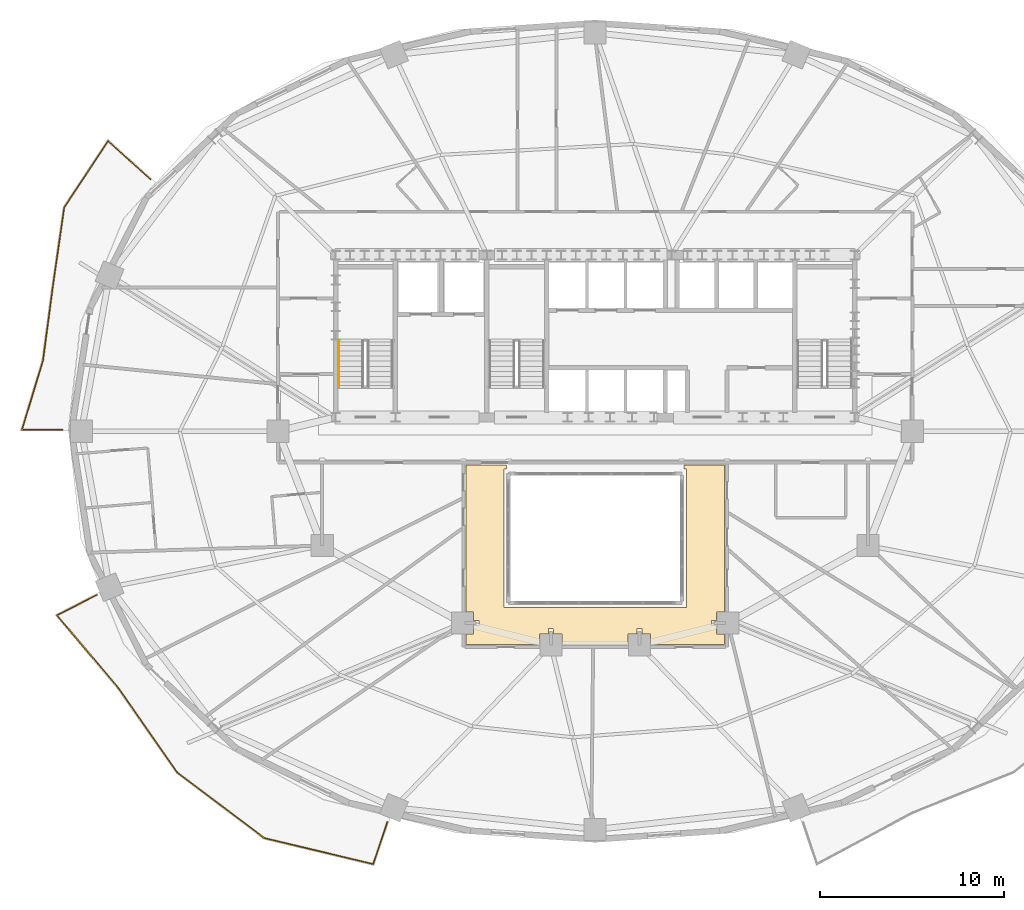
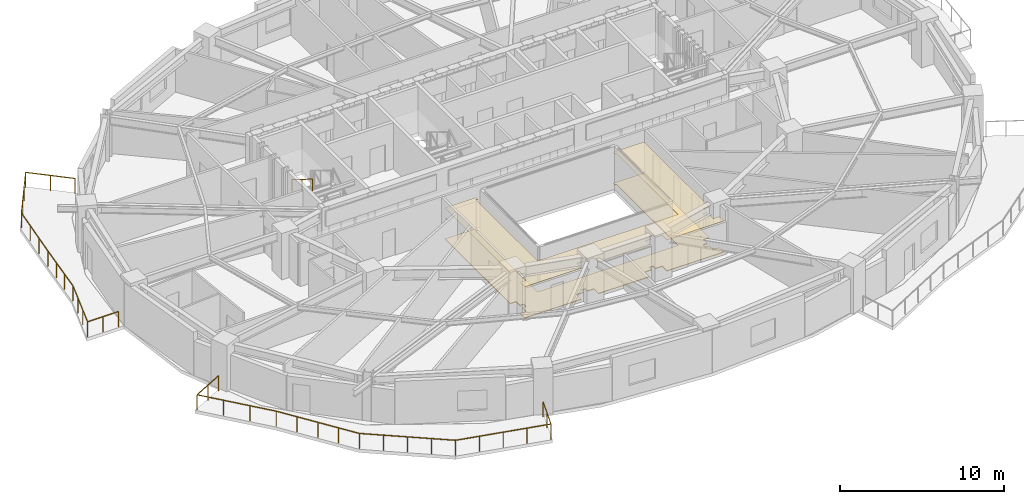
# One storey, part 12 of 14: 3 railings, 2 coverings.
"""IFC4 building model written with IfcOpenShell, lengths in metres."""

from ifc_helpers import new_model, si_unit, direction, frame, origin, origin_2d, place, context, subcontext, project, spatial, polyline, rectangle, outline, extrude, material, layer, layer_set, type_object, element, save


model = new_model("IFC4")

# Units and contexts
model_context = context("Model", 3, precision=1e-05, world=origin(), true_north=direction((0.0, 1.0)))
body_context = subcontext(model_context, "Body", "Model", "MODEL_VIEW")
ifc_project = project(units=[si_unit("LENGTHUNIT", "METRE"), si_unit("AREAUNIT", "SQUARE_METRE"), si_unit("VOLUMEUNIT", "CUBIC_METRE"), si_unit("PLANEANGLEUNIT", "RADIAN"), si_unit("MASSUNIT", "GRAM", prefix="KILO")], contexts=[model_context])

# Site, building, storey
site_placement = place(None, origin())
site = spatial("IfcSite", under=ifc_project, at=site_placement, CompositionType="ELEMENT")
building_placement = place(site_placement, origin())
building = spatial("IfcBuilding", under=site, at=building_placement, Name="Haldorwick Loom Tower", CompositionType="ELEMENT")
storey_placement = place(building_placement, frame((0.0, 0.0, 95.60009765625)))
storey = spatial("IfcBuildingStorey", under=building, at=storey_placement, Name="L25", CompositionType="ELEMENT", Elevation=95.60009765625)

# Coverings
ifc_material_1 = material(Name="Mineral Fibre Acoustic Ceiling Tile")
ifc_layer_1 = layer(ifc_material_1, 0.054931640625, Name="Mineral Fibre Acoustic Ceiling Tile")
ifc_layer_set_1 = layer_set([ifc_layer_1], Name="Mineral Fibre Acoustic Ceiling Tile")
covering_type_1 = type_object("IfcCoveringType", Name="ARC-COV-CEIL2", PredefinedType="CEILING", material=ifc_layer_set_1)
covering_1_placement = place(storey_placement, frame((0.0, 0.0, 2.302001953125)))
element("IfcCovering", 1, at=covering_1_placement, inside=storey, type_object=covering_type_1, Name="L25 Acoustic Suspended Ceiling 1", PredefinedType="CEILING", context=body_context, shape_type="SweptSolid", body=[
    extrude(outline(polyline([(40.820068359375, 24.159912109375), (40.820068359375, 23.949951171875), (40.949951171875, 23.949951171875), (40.949951171875, 16.449951171875), (31.050048828125, 16.449951171875), (31.050048828125, 23.949951171875), (31.179931640625, 23.949951171875), (31.179931640625, 24.159912109375), (28.989990234375, 24.159912109375), (28.989990234375, 16.2080078125), (29.407958984375, 16.2080078125), (29.407958984375, 15.739990234375), (29.669921875, 15.739990234375), (29.672119140625, 15.739990234375), (29.673828125, 15.739501953125), (29.67578125, 15.739013671875), (29.677734375, 15.738525390625), (29.679443359375, 15.737548828125), (29.68115234375, 15.736572265625), (29.6826171875, 15.735595703125), (29.68408203125, 15.734130859375), (29.685546875, 15.732666015625), (29.6865234375, 15.731201171875), (29.6875, 15.7294921875), (29.6884765625, 15.727783203125), (29.689208984375, 15.725830078125), (29.689697265625, 15.723876953125), (29.68994140625, 15.721923828125), (29.68994140625, 15.719970703125), (29.68994140625, 15.47998046875), (29.68994140625, 15.47802734375), (29.689697265625, 15.47607421875), (29.689208984375, 15.47412109375), (29.6884765625, 15.472412109375), (29.6875, 15.470703125), (29.6865234375, 15.468994140625), (29.685546875, 15.46728515625), (29.68408203125, 15.4658203125), (29.6826171875, 15.464599609375), (29.68115234375, 15.46337890625), (29.679443359375, 15.46240234375), (29.677734375, 15.46142578125), (29.67578125, 15.4609375), (29.673828125, 15.46044921875), (29.672119140625, 15.460205078125), (29.669921875, 15.4599609375), (29.407958984375, 15.4599609375), (29.407958984375, 14.991943359375), (28.989990234375, 14.991943359375), (28.989990234375, 14.43994140625), (32.991943359375, 14.43994140625), (32.991943359375, 15.008056640625), (33.4599609375, 15.008056640625), (33.4599609375, 15.27001953125), (33.460205078125, 15.27197265625), (33.46044921875, 15.27392578125), (33.4609375, 15.27587890625), (33.46142578125, 15.277587890625), (33.46240234375, 15.279296875), (33.46337890625, 15.281005859375), (33.464599609375, 15.28271484375), (33.4658203125, 15.2841796875), (33.46728515625, 15.285400390625), (33.468994140625, 15.28662109375), (33.470703125, 15.28759765625), (33.472412109375, 15.28857421875), (33.47412109375, 15.2890625), (33.47607421875, 15.28955078125), (33.47802734375, 15.289794921875), (33.47998046875, 15.2900390625), (33.719970703125, 15.2900390625), (33.721923828125, 15.289794921875), (33.723876953125, 15.28955078125), (33.725830078125, 15.2890625), (33.727783203125, 15.28857421875), (33.7294921875, 15.28759765625), (33.731201171875, 15.28662109375), (33.732666015625, 15.285400390625), (33.734130859375, 15.2841796875), (33.735595703125, 15.28271484375), (33.736572265625, 15.281005859375), (33.737548828125, 15.279296875), (33.738525390625, 15.277587890625), (33.739013671875, 15.27587890625), (33.739501953125, 15.27392578125), (33.739990234375, 15.27197265625), (33.739990234375, 15.27001953125), (33.739990234375, 15.008056640625), (34.2080078125, 15.008056640625), (34.2080078125, 14.43994140625), (37.7919921875, 14.43994140625), (37.7919921875, 15.008056640625), (38.260009765625, 15.008056640625), (38.260009765625, 15.27001953125), (38.260009765625, 15.27197265625), (38.260498046875, 15.27392578125), (38.260986328125, 15.27587890625), (38.261474609375, 15.277587890625), (38.262451171875, 15.279296875), (38.263427734375, 15.281005859375), (38.264404296875, 15.28271484375), (38.265869140625, 15.2841796875), (38.267333984375, 15.285400390625), (38.268798828125, 15.28662109375), (38.2705078125, 15.28759765625), (38.272216796875, 15.28857421875), (38.274169921875, 15.2890625), (38.276123046875, 15.28955078125), (38.278076171875, 15.289794921875), (38.280029296875, 15.2900390625), (38.52001953125, 15.2900390625), (38.52197265625, 15.289794921875), (38.52392578125, 15.28955078125), (38.52587890625, 15.2890625), (38.527587890625, 15.28857421875), (38.529296875, 15.28759765625), (38.531005859375, 15.28662109375), (38.53271484375, 15.285400390625), (38.5341796875, 15.2841796875), (38.535400390625, 15.28271484375), (38.53662109375, 15.281005859375), (38.53759765625, 15.279296875), (38.53857421875, 15.277587890625), (38.5390625, 15.27587890625), (38.53955078125, 15.27392578125), (38.539794921875, 15.27197265625), (38.5400390625, 15.27001953125), (38.5400390625, 15.008056640625), (39.008056640625, 15.008056640625), (39.008056640625, 14.43994140625), (43.010009765625, 14.43994140625), (43.010009765625, 14.991943359375), (42.592041015625, 14.991943359375), (42.592041015625, 15.4599609375), (42.330078125, 15.4599609375), (42.327880859375, 15.460205078125), (42.326171875, 15.46044921875), (42.32421875, 15.4609375), (42.322265625, 15.46142578125), (42.320556640625, 15.46240234375), (42.31884765625, 15.46337890625), (42.3173828125, 15.464599609375), (42.31591796875, 15.4658203125), (42.314453125, 15.46728515625), (42.3134765625, 15.468994140625), (42.3125, 15.470703125), (42.3115234375, 15.472412109375), (42.310791015625, 15.47412109375), (42.310302734375, 15.47607421875), (42.31005859375, 15.47802734375), (42.31005859375, 15.47998046875), (42.31005859375, 15.719970703125), (42.31005859375, 15.721923828125), (42.310302734375, 15.723876953125), (42.310791015625, 15.725830078125), (42.3115234375, 15.727783203125), (42.3125, 15.7294921875), (42.3134765625, 15.731201171875), (42.314453125, 15.732666015625), (42.31591796875, 15.734130859375), (42.3173828125, 15.735595703125), (42.31884765625, 15.736572265625), (42.320556640625, 15.737548828125), (42.322265625, 15.738525390625), (42.32421875, 15.739013671875), (42.326171875, 15.739501953125), (42.327880859375, 15.739990234375), (42.330078125, 15.739990234375), (42.592041015625, 15.739990234375), (42.592041015625, 16.2080078125), (43.010009765625, 16.2080078125), (43.010009765625, 24.159912109375), (40.820068359375, 24.159912109375)])), origin(), (0.0, 0.0, 1.0), 0.054931640625),
])
ifc_material_2 = material(Name="Polished Aggregate Terrazzo Finish")
ifc_layer_2 = layer(ifc_material_2, 0.044921875, Name="Polished Aggregate Terrazzo Finish")
ifc_layer_set_2 = layer_set([ifc_layer_2], Name="Polished Aggregate Terrazzo Finish")
covering_type_2 = type_object("IfcCoveringType", Name="ARC-COV-FLOOR2", PredefinedType="FLOORING", material=ifc_layer_set_2)
covering_2_placement = place(storey_placement, origin())
element("IfcCovering", 2, at=covering_2_placement, inside=storey, type_object=covering_type_2, Name="L25 Floor Finish 1", PredefinedType="FLOORING", context=body_context, shape_type="SweptSolid", body=[
    extrude(outline(polyline([(40.820068359375, 24.159912109375), (40.820068359375, 23.949951171875), (40.949951171875, 23.949951171875), (40.949951171875, 16.449951171875), (31.050048828125, 16.449951171875), (31.050048828125, 23.949951171875), (31.179931640625, 23.949951171875), (31.179931640625, 24.159912109375), (28.989990234375, 24.159912109375), (28.989990234375, 16.2080078125), (29.407958984375, 16.2080078125), (29.407958984375, 15.739990234375), (29.669921875, 15.739990234375), (29.672119140625, 15.739990234375), (29.673828125, 15.739501953125), (29.67578125, 15.739013671875), (29.677734375, 15.738525390625), (29.679443359375, 15.737548828125), (29.68115234375, 15.736572265625), (29.6826171875, 15.735595703125), (29.68408203125, 15.734130859375), (29.685546875, 15.732666015625), (29.6865234375, 15.731201171875), (29.6875, 15.7294921875), (29.6884765625, 15.727783203125), (29.689208984375, 15.725830078125), (29.689697265625, 15.723876953125), (29.68994140625, 15.721923828125), (29.68994140625, 15.719970703125), (29.68994140625, 15.47998046875), (29.68994140625, 15.47802734375), (29.689697265625, 15.47607421875), (29.689208984375, 15.47412109375), (29.6884765625, 15.472412109375), (29.6875, 15.470703125), (29.6865234375, 15.468994140625), (29.685546875, 15.46728515625), (29.68408203125, 15.4658203125), (29.6826171875, 15.464599609375), (29.68115234375, 15.46337890625), (29.679443359375, 15.46240234375), (29.677734375, 15.46142578125), (29.67578125, 15.4609375), (29.673828125, 15.46044921875), (29.672119140625, 15.460205078125), (29.669921875, 15.4599609375), (29.407958984375, 15.4599609375), (29.407958984375, 14.991943359375), (28.989990234375, 14.991943359375), (28.989990234375, 14.43994140625), (32.991943359375, 14.43994140625), (32.991943359375, 15.008056640625), (33.4599609375, 15.008056640625), (33.4599609375, 15.27001953125), (33.460205078125, 15.27197265625), (33.46044921875, 15.27392578125), (33.4609375, 15.27587890625), (33.46142578125, 15.277587890625), (33.46240234375, 15.279296875), (33.46337890625, 15.281005859375), (33.464599609375, 15.28271484375), (33.4658203125, 15.2841796875), (33.46728515625, 15.285400390625), (33.468994140625, 15.28662109375), (33.470703125, 15.28759765625), (33.472412109375, 15.28857421875), (33.47412109375, 15.2890625), (33.47607421875, 15.28955078125), (33.47802734375, 15.289794921875), (33.47998046875, 15.2900390625), (33.719970703125, 15.2900390625), (33.721923828125, 15.289794921875), (33.723876953125, 15.28955078125), (33.725830078125, 15.2890625), (33.727783203125, 15.28857421875), (33.7294921875, 15.28759765625), (33.731201171875, 15.28662109375), (33.732666015625, 15.285400390625), (33.734130859375, 15.2841796875), (33.735595703125, 15.28271484375), (33.736572265625, 15.281005859375), (33.737548828125, 15.279296875), (33.738525390625, 15.277587890625), (33.739013671875, 15.27587890625), (33.739501953125, 15.27392578125), (33.739990234375, 15.27197265625), (33.739990234375, 15.27001953125), (33.739990234375, 15.008056640625), (34.2080078125, 15.008056640625), (34.2080078125, 14.43994140625), (37.7919921875, 14.43994140625), (37.7919921875, 15.008056640625), (38.260009765625, 15.008056640625), (38.260009765625, 15.27001953125), (38.260009765625, 15.27197265625), (38.260498046875, 15.27392578125), (38.260986328125, 15.27587890625), (38.261474609375, 15.277587890625), (38.262451171875, 15.279296875), (38.263427734375, 15.281005859375), (38.264404296875, 15.28271484375), (38.265869140625, 15.2841796875), (38.267333984375, 15.285400390625), (38.268798828125, 15.28662109375), (38.2705078125, 15.28759765625), (38.272216796875, 15.28857421875), (38.274169921875, 15.2890625), (38.276123046875, 15.28955078125), (38.278076171875, 15.289794921875), (38.280029296875, 15.2900390625), (38.52001953125, 15.2900390625), (38.52197265625, 15.289794921875), (38.52392578125, 15.28955078125), (38.52587890625, 15.2890625), (38.527587890625, 15.28857421875), (38.529296875, 15.28759765625), (38.531005859375, 15.28662109375), (38.53271484375, 15.285400390625), (38.5341796875, 15.2841796875), (38.535400390625, 15.28271484375), (38.53662109375, 15.281005859375), (38.53759765625, 15.279296875), (38.53857421875, 15.277587890625), (38.5390625, 15.27587890625), (38.53955078125, 15.27392578125), (38.539794921875, 15.27197265625), (38.5400390625, 15.27001953125), (38.5400390625, 15.008056640625), (39.008056640625, 15.008056640625), (39.008056640625, 14.43994140625), (43.010009765625, 14.43994140625), (43.010009765625, 14.991943359375), (42.592041015625, 14.991943359375), (42.592041015625, 15.4599609375), (42.330078125, 15.4599609375), (42.327880859375, 15.460205078125), (42.326171875, 15.46044921875), (42.32421875, 15.4609375), (42.322265625, 15.46142578125), (42.320556640625, 15.46240234375), (42.31884765625, 15.46337890625), (42.3173828125, 15.464599609375), (42.31591796875, 15.4658203125), (42.314453125, 15.46728515625), (42.3134765625, 15.468994140625), (42.3125, 15.470703125), (42.3115234375, 15.472412109375), (42.310791015625, 15.47412109375), (42.310302734375, 15.47607421875), (42.31005859375, 15.47802734375), (42.31005859375, 15.47998046875), (42.31005859375, 15.719970703125), (42.31005859375, 15.721923828125), (42.310302734375, 15.723876953125), (42.310791015625, 15.725830078125), (42.3115234375, 15.727783203125), (42.3125, 15.7294921875), (42.3134765625, 15.731201171875), (42.314453125, 15.732666015625), (42.31591796875, 15.734130859375), (42.3173828125, 15.735595703125), (42.31884765625, 15.736572265625), (42.320556640625, 15.737548828125), (42.322265625, 15.738525390625), (42.32421875, 15.739013671875), (42.326171875, 15.739501953125), (42.327880859375, 15.739990234375), (42.330078125, 15.739990234375), (42.592041015625, 15.739990234375), (42.592041015625, 16.2080078125), (43.010009765625, 16.2080078125), (43.010009765625, 24.159912109375), (40.820068359375, 24.159912109375)])), origin(), (0.0, 0.0, 1.0), 0.044921875),
])

# Railings
ifc_material_3 = material(Name="Galvanized Steel CSA G40.21 350W", Category="steel")
railing_type_1 = type_object("IfcRailingType", Name="ARC-RLG-BAL115", PredefinedType="BALUSTRADE", material=ifc_material_3)
railing_1_placement = place(storey_placement, frame((24.728271484375, 4.805908203125, 0.0)))
element("IfcRailing", 3, at=railing_1_placement, inside=storey, type_object=railing_type_1, Name="L25 Outdoor Terrace Guardrail SLB-L25-BAL_SW-1", PredefinedType="BALUSTRADE", context=body_context, shape_type="SweptSolid", body=[
    extrude(rectangle(XDim=0.048095703125, YDim=0.048095703125, at=origin_2d()), frame((0.0, 0.0, 1.1259765625), z_axis=(-0.318238910111, -0.948010546403, 0.0), x_axis=(0.948010546403, -0.318238910111, 0.0)), (0.0, 0.0, 1.0), 2.40283203125),
    extrude(rectangle(XDim=0.048095703125, YDim=0.048095703125, at=origin_2d()), frame((-0.7646484375, -2.27783203125, 1.1259765625), z_axis=(-0.972594900336, 0.232506257638, 0.0), x_axis=(-0.232506257638, -0.972594900336, 0.0)), (0.0, 0.0, 1.0), 6.073486328125),
    extrude(rectangle(XDim=0.048095703125, YDim=0.048095703125, at=origin_2d()), frame((-6.671630859375, -0.86572265625, 1.1259765625), z_axis=(-0.797775550667, 0.602954534569, 0.0), x_axis=(-0.602954534569, -0.797775550667, 0.0)), (0.0, 0.0, 1.0), 5.914794921875),
    extrude(rectangle(XDim=0.048095703125, YDim=0.048095703125, at=origin_2d()), frame((-11.390380859375, 2.70068359375, 1.1259765625), z_axis=(-0.573128302609, 0.819465648303, 0.0), x_axis=(-0.819465648303, -0.573128302609, 0.0)), (0.0, 0.0, 1.0), 5.5927734375),
    extrude(rectangle(XDim=0.048095703125, YDim=0.048095703125, at=origin_2d()), frame((-14.595703125, 7.28369140625, 1.1259765625), z_axis=(-0.616308261658, 0.787505001008, 0.0), x_axis=(-0.787505001008, -0.616308261658, 0.0)), (0.0, 0.0, 1.0), 0.007080078125),
    extrude(rectangle(XDim=0.048095703125, YDim=0.048095703125, at=origin_2d()), frame((-14.60009765625, 7.289306640625, 1.1259765625), z_axis=(-0.644175333561, 0.764877859289, 0.0), x_axis=(-0.764877859289, -0.644175333561, 0.0)), (0.0, 0.0, 1.0), 5.12744140625),
    extrude(rectangle(XDim=0.048095703125, YDim=0.048095703125, at=origin_2d()), frame((-17.903076171875, 11.211181640625, 1.1259765625), z_axis=(0.889438158994, 0.457055534181, 0.0), x_axis=(-0.457055534181, 0.889438158994, 0.0)), (0.0, 0.0, 1.0), 2.414306640625),
    extrude(rectangle(XDim=0.0419921875, YDim=0.0419921875, at=origin_2d()), origin(), (0.0, 0.0, 1.0), 1.101806640625),
    extrude(rectangle(XDim=0.0419921875, YDim=0.0419921875, at=origin_2d()), frame((-0.38232421875, -1.138916015625, 0.0)), (0.0, 0.0, 1.0), 1.101806640625),
    extrude(rectangle(XDim=0.0419921875, YDim=0.0419921875, at=origin_2d()), frame((-0.7646484375, -2.27783203125, 0.0)), (0.0, 0.0, 1.0), 1.101806640625),
    extrude(rectangle(XDim=0.0419921875, YDim=0.0419921875, at=origin_2d()), frame((-2.241455078125, -1.9248046875, 0.0)), (0.0, 0.0, 1.0), 1.101806640625),
    extrude(rectangle(XDim=0.0419921875, YDim=0.0419921875, at=origin_2d()), frame((-3.71826171875, -1.57177734375, 0.0)), (0.0, 0.0, 1.0), 1.101806640625),
    extrude(rectangle(XDim=0.0419921875, YDim=0.0419921875, at=origin_2d()), frame((-5.19482421875, -1.21875, 0.0)), (0.0, 0.0, 1.0), 1.101806640625),
    extrude(rectangle(XDim=0.0419921875, YDim=0.0419921875, at=origin_2d()), frame((-6.671630859375, -0.86572265625, 0.0)), (0.0, 0.0, 1.0), 1.101806640625),
    extrude(rectangle(XDim=0.0419921875, YDim=0.0419921875, at=origin_2d()), frame((-7.851318359375, 0.02587890625, 0.0)), (0.0, 0.0, 1.0), 1.101806640625),
    extrude(rectangle(XDim=0.0419921875, YDim=0.0419921875, at=origin_2d()), frame((-9.031005859375, 0.91748046875, 0.0)), (0.0, 0.0, 1.0), 1.101806640625),
    extrude(rectangle(XDim=0.0419921875, YDim=0.0419921875, at=origin_2d()), frame((-10.210693359375, 1.80908203125, 0.0)), (0.0, 0.0, 1.0), 1.101806640625),
    extrude(rectangle(XDim=0.0419921875, YDim=0.0419921875, at=origin_2d()), frame((-11.390380859375, 2.70068359375, 0.0)), (0.0, 0.0, 1.0), 1.101806640625),
    extrude(rectangle(XDim=0.0419921875, YDim=0.0419921875, at=origin_2d()), frame((-12.191650390625, 3.846435546875, 0.0)), (0.0, 0.0, 1.0), 1.101806640625),
    extrude(rectangle(XDim=0.0419921875, YDim=0.0419921875, at=origin_2d()), frame((-12.9931640625, 4.9921875, 0.0)), (0.0, 0.0, 1.0), 1.101806640625),
    extrude(rectangle(XDim=0.0419921875, YDim=0.0419921875, at=origin_2d()), frame((-13.79443359375, 6.137939453125, 0.0)), (0.0, 0.0, 1.0), 1.101806640625),
    extrude(rectangle(XDim=0.0419921875, YDim=0.0419921875, at=origin_2d()), frame((-14.595703125, 7.28369140625, 0.0)), (0.0, 0.0, 1.0), 1.101806640625),
    extrude(rectangle(XDim=0.0419921875, YDim=0.0419921875, at=origin_2d()), frame((-15.701171875, 8.5966796875, 0.0)), (0.0, 0.0, 1.0), 1.101806640625),
    extrude(rectangle(XDim=0.0419921875, YDim=0.0419921875, at=origin_2d()), frame((-16.802001953125, 9.90380859375, 0.0)), (0.0, 0.0, 1.0), 1.101806640625),
    extrude(rectangle(XDim=0.0419921875, YDim=0.0419921875, at=origin_2d()), frame((-17.903076171875, 11.211181640625, 0.0)), (0.0, 0.0, 1.0), 1.101806640625),
    extrude(rectangle(XDim=0.0419921875, YDim=0.0419921875, at=origin_2d()), frame((-16.829345703125, 11.762939453125, 0.0)), (0.0, 0.0, 1.0), 1.101806640625),
    extrude(rectangle(XDim=0.0419921875, YDim=0.0419921875, at=origin_2d()), frame((-15.755615234375, 12.314697265625, 0.0)), (0.0, 0.0, 1.0), 1.101806640625),
])
railing_2_placement = place(storey_placement, frame((7.09912109375, 26.080078125, 0.0)))
element("IfcRailing", 4, at=railing_2_placement, inside=storey, type_object=railing_type_1, Name="L25 Outdoor Terrace Guardrail SLB-L25-BAL_WNW-1", PredefinedType="BALUSTRADE", context=body_context, shape_type="SweptSolid", body=[
    extrude(rectangle(XDim=0.048095703125, YDim=0.048095703125, at=origin_2d()), frame((0.0, 0.0, 1.1259765625), z_axis=(-1.0, 0.0, 0.0), x_axis=(0.0, -1.0, 0.0)), (0.0, 0.0, 1.0), 2.1787109375),
    extrude(rectangle(XDim=0.048095703125, YDim=0.048095703125, at=origin_2d()), frame((-2.1787109375, 0.0, 1.1259765625), z_axis=(0.290649973288, 0.956829448244, 0.0), x_axis=(-0.956829448244, 0.290649973288, 0.0)), (0.0, 0.0, 1.0), 3.911865234375),
    extrude(rectangle(XDim=0.048095703125, YDim=0.048095703125, at=origin_2d()), frame((-1.041748046875, 3.742919921875, 1.1259765625), z_axis=(0.259973473448, 0.965615758521, 0.0), x_axis=(-0.965615758521, 0.259973473448, 0.0)), (0.0, 0.0, 1.0), 0.006591796875),
    extrude(rectangle(XDim=0.048095703125, YDim=0.048095703125, at=origin_2d()), frame((-1.0400390625, 3.749267578125, 1.1259765625), z_axis=(0.146548661089, 0.989203462354, 0.0), x_axis=(-0.989203462354, 0.146548661089, 0.0)), (0.0, 0.0, 1.0), 0.006591796875),
    extrude(rectangle(XDim=0.048095703125, YDim=0.048095703125, at=origin_2d()), frame((-1.0390625, 3.755859375, 1.1259765625), z_axis=(0.131713853112, 0.991287779052, 0.0), x_axis=(-0.991287779052, 0.131713853112, 0.0)), (0.0, 0.0, 1.0), 3.9814453125),
    extrude(rectangle(XDim=0.048095703125, YDim=0.048095703125, at=origin_2d()), frame((-0.5146484375, 7.70263671875, 1.1259765625), z_axis=(0.142758302279, 0.989757579981, 0.0), x_axis=(-0.989757579981, 0.142758302279, 0.0)), (0.0, 0.0, 1.0), 4.396728515625),
    extrude(rectangle(XDim=0.048095703125, YDim=0.048095703125, at=origin_2d()), frame((0.113037109375, 12.054443359375, 1.1259765625), z_axis=(0.551758078571, 0.83400421026, 0.0), x_axis=(-0.83400421026, 0.551758078571, 0.0)), (0.0, 0.0, 1.0), 4.313720703125),
    extrude(rectangle(XDim=0.048095703125, YDim=0.048095703125, at=origin_2d()), frame((2.4931640625, 15.652099609375, 1.1259765625), z_axis=(0.741481530949, -0.670973277606, 0.0), x_axis=(0.670973277606, 0.741481530949, 0.0)), (0.0, 0.0, 1.0), 3.092041015625),
    extrude(rectangle(XDim=0.0419921875, YDim=0.0419921875, at=origin_2d()), origin(), (0.0, 0.0, 1.0), 1.101806640625),
    extrude(rectangle(XDim=0.0419921875, YDim=0.0419921875, at=origin_2d()), frame((-1.08935546875, 0.0, 0.0)), (0.0, 0.0, 1.0), 1.101806640625),
    extrude(rectangle(XDim=0.0419921875, YDim=0.0419921875, at=origin_2d()), frame((-2.1787109375, 0.0, 0.0)), (0.0, 0.0, 1.0), 1.101806640625),
    extrude(rectangle(XDim=0.0419921875, YDim=0.0419921875, at=origin_2d()), frame((-1.7998046875, 1.24755859375, 0.0)), (0.0, 0.0, 1.0), 1.101806640625),
    extrude(rectangle(XDim=0.0419921875, YDim=0.0419921875, at=origin_2d()), frame((-1.420654296875, 2.495361328125, 0.0)), (0.0, 0.0, 1.0), 1.101806640625),
    extrude(rectangle(XDim=0.0419921875, YDim=0.0419921875, at=origin_2d()), frame((-1.041748046875, 3.742919921875, 0.0)), (0.0, 0.0, 1.0), 1.101806640625),
    extrude(rectangle(XDim=0.0419921875, YDim=0.0419921875, at=origin_2d()), frame((-0.8642578125, 5.071533203125, 0.0)), (0.0, 0.0, 1.0), 1.101806640625),
    extrude(rectangle(XDim=0.0419921875, YDim=0.0419921875, at=origin_2d()), frame((-0.689453125, 6.386962890625, 0.0)), (0.0, 0.0, 1.0), 1.101806640625),
    extrude(rectangle(XDim=0.0419921875, YDim=0.0419921875, at=origin_2d()), frame((-0.5146484375, 7.70263671875, 0.0)), (0.0, 0.0, 1.0), 1.101806640625),
    extrude(rectangle(XDim=0.0419921875, YDim=0.0419921875, at=origin_2d()), frame((-0.305419921875, 9.1533203125, 0.0)), (0.0, 0.0, 1.0), 1.101806640625),
    extrude(rectangle(XDim=0.0419921875, YDim=0.0419921875, at=origin_2d()), frame((-0.09619140625, 10.603759765625, 0.0)), (0.0, 0.0, 1.0), 1.101806640625),
    extrude(rectangle(XDim=0.0419921875, YDim=0.0419921875, at=origin_2d()), frame((0.113037109375, 12.054443359375, 0.0)), (0.0, 0.0, 1.0), 1.101806640625),
    extrude(rectangle(XDim=0.0419921875, YDim=0.0419921875, at=origin_2d()), frame((0.906494140625, 13.253662109375, 0.0)), (0.0, 0.0, 1.0), 1.101806640625),
    extrude(rectangle(XDim=0.0419921875, YDim=0.0419921875, at=origin_2d()), frame((1.69970703125, 14.452880859375, 0.0)), (0.0, 0.0, 1.0), 1.101806640625),
    extrude(rectangle(XDim=0.0419921875, YDim=0.0419921875, at=origin_2d()), frame((2.4931640625, 15.652099609375, 0.0)), (0.0, 0.0, 1.0), 1.101806640625),
    extrude(rectangle(XDim=0.0419921875, YDim=0.0419921875, at=origin_2d()), frame((3.6396484375, 14.61474609375, 0.0)), (0.0, 0.0, 1.0), 1.101806640625),
    extrude(rectangle(XDim=0.0419921875, YDim=0.0419921875, at=origin_2d()), frame((4.785888671875, 13.577392578125, 0.0)), (0.0, 0.0, 1.0), 1.101806640625),
])
ifc_material_4 = material(Name="Steel CSA G40.21 350W", Category="steel")
railing_type_2 = type_object("IfcRailingType", Name="ARC-RLG-HAND092", PredefinedType="HANDRAIL", material=ifc_material_4)
railing_3_placement = place(storey_placement, frame((22.10009765625, 30.919921875, 1.8974609375)))
element("IfcRailing", 5, at=railing_3_placement, inside=storey, type_object=railing_type_2, Name="L25 ST-01 stair handrail 2", PredefinedType="HANDRAIL", context=body_context, shape_type="SweptSolid", body=[
    extrude(rectangle(XDim=0.048095703125, YDim=0.048095703125, at=origin_2d()), frame((0.0, 0.0, 0.8759765625), z_axis=(0.0, -0.851400495292, 0.524516154772), x_axis=(1.0, 0.0, 0.0)), (0.0, 0.0, 1.0), 2.9599609375),
    extrude(rectangle(XDim=0.0419921875, YDim=0.0419921875, at=origin_2d()), origin(), (0.0, 0.0, 1.0), 0.851806640625),
    extrude(rectangle(XDim=0.0419921875, YDim=0.0419921875, at=origin_2d()), frame((0.0, -1.260009765625, 0.7763671875)), (0.0, 0.0, 1.0), 0.851806640625),
    extrude(rectangle(XDim=0.0419921875, YDim=0.0419921875, at=origin_2d()), frame((0.0, -2.52001953125, 1.552490234375)), (0.0, 0.0, 1.0), 0.851806640625),
])

save(model, "model.ifc")
